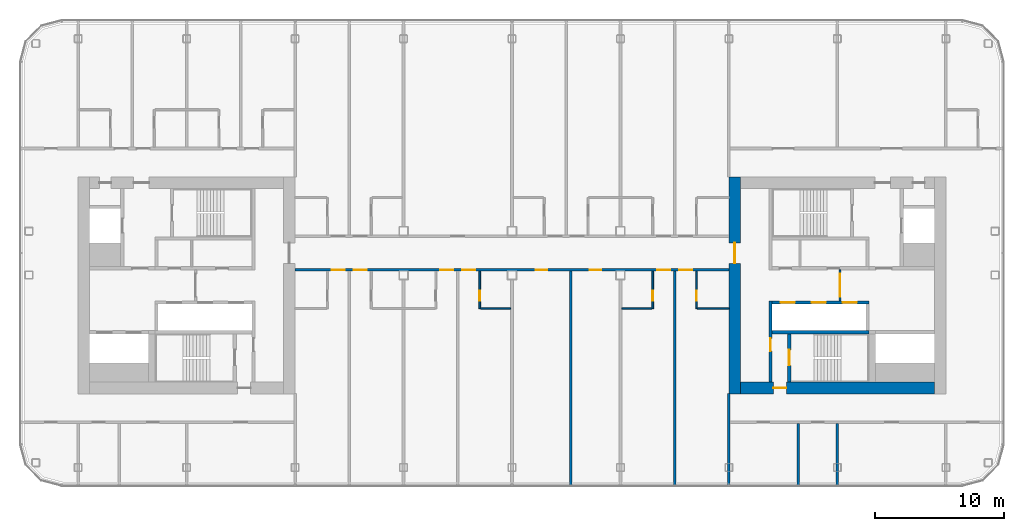
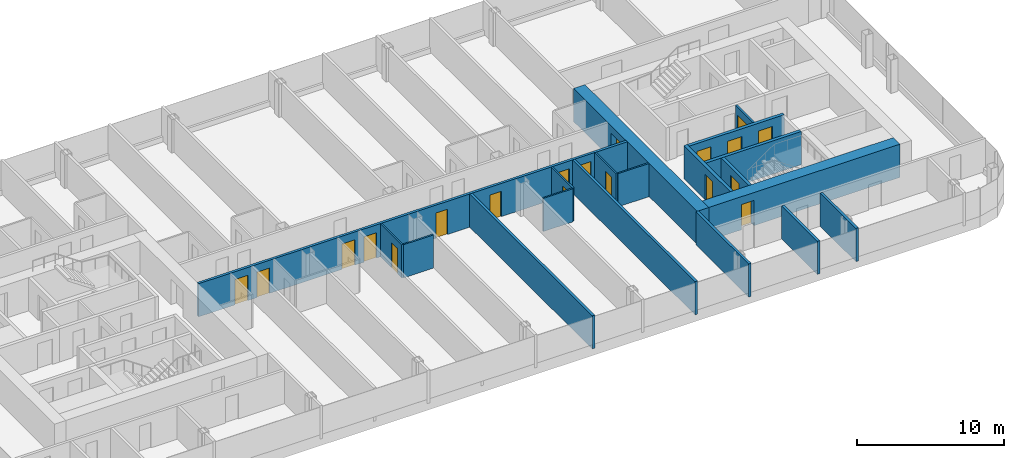
# One storey, part 15 of 26: 19 doors, 19 walls, 19 openings.
"""IFC4 building model written with IfcOpenShell, lengths in metres."""

from ifc_helpers import new_model, si_unit, direction, frame, frame_2d, origin, place, context, subcontext, project, spatial, rectangle, extrude, material, layer, layer_set, type_object, element, fill, save


model = new_model("IFC4")

# Units and contexts
model_context = context("Model", 3, precision=1e-05, world=origin(), true_north=direction((0.0, 1.0)))
body_context = subcontext(model_context, "Body", "Model", "MODEL_VIEW")
ifc_project = project(units=[si_unit("LENGTHUNIT", "METRE"), si_unit("AREAUNIT", "SQUARE_METRE"), si_unit("VOLUMEUNIT", "CUBIC_METRE"), si_unit("PLANEANGLEUNIT", "RADIAN"), si_unit("MASSUNIT", "GRAM", prefix="KILO")], contexts=[model_context])

# Site, building, storey
site_placement = place(None, origin())
site = spatial("IfcSite", under=ifc_project, at=site_placement, CompositionType="ELEMENT")
building_placement = place(site_placement, origin())
building = spatial("IfcBuilding", under=site, at=building_placement, Name="Hakoniwa Tower and Hamabe Station Hall", CompositionType="ELEMENT")
storey_placement = place(building_placement, frame((0.0, 0.0, 189.800048828125)))
storey = spatial("IfcBuildingStorey", under=building, at=storey_placement, Name="L53", CompositionType="ELEMENT", Elevation=189.800048828125)

# Walls
ifc_material_1 = material(Name="Gypsum board partition", Category="gypsum")
ifc_layer_1 = layer(ifc_material_1, 0.125)
ifc_layer_set_1 = layer_set([ifc_layer_1], Name="Bathroom Partition 125")
wall_type_1 = type_object("IfcWallType", Name="Bathroom Partition 125", PredefinedType="PARTITIONING", material=ifc_layer_set_1)
for number, where, z_axis, x_axis, name in (
    (1, (-2.4375, -1.800048828125, 0.0), (0.0, 0.0, 1.0), (1.0, 0.0, 0.0), "GW-L53-005"),
    (2, (8.5, -1.800048828125, 0.0), (0.0, 0.0, 1.0), (1.0, 0.0, 0.0), "GW-L53-006"),
):
    element("IfcWall", number, at=place(storey_placement, frame(where, z_axis=z_axis, x_axis=x_axis)), inside=storey, type_object=wall_type_1, Name=name, PredefinedType="PARTITIONING", context=body_context, shape_type="SweptSolid", body=[
        extrude(rectangle(XDim=2.33740234375, YDim=0.125, at=frame_2d((1.168701171875, 0.0))), origin(), (0.0, 0.0, 1.0), 2.75),
    ])
wall_1_placement = place(storey_placement, frame((14.362548828125, -1.800048828125, 0.0), z_axis=(0.0, 0.0, 1.0), x_axis=(1.0, 0.0, 0.0)))
element("IfcWall", 3, at=wall_1_placement, inside=storey, type_object=wall_type_1, Name="GW-L53-007", PredefinedType="PARTITIONING", context=body_context, shape_type="SweptSolid", body=[
    extrude(rectangle(XDim=2.447509765625, YDim=0.125, at=frame_2d((1.2236328125, 0.0))), origin(), (0.0, 0.0, 1.0), 2.75),
])

# Wall, opening, door
wall_2_placement = place(storey_placement, frame((-2.5, -1.800048828125, 0.0), z_axis=(0.0, 0.0, 1.0), x_axis=(0.0, 1.0, 0.0)))
wall_2 = element("IfcWall", 4, at=wall_2_placement, inside=storey, type_object=wall_type_1, Name="GW-L53-044", PredefinedType="PARTITIONING", context=body_context, shape_type="SweptSolid", body=[
    extrude(rectangle(XDim=2.900146484375, YDim=0.125, at=frame_2d((1.4501953125, 0.0))), origin(), (0.0, 0.0, 1.0), 2.75),
])
opening_1_placement = place(wall_2_placement, frame((0.60009765625, 0.0, 0.0)))
opening_1 = element("IfcOpeningElement", 5, at=opening_1_placement, cuts=wall_2, Name="Opening GD-G4B0-41", PredefinedType="OPENING", context=body_context, shape_type="SweptSolid", body=[
    extrude(rectangle(XDim=0.800048828125, YDim=2.10009765625, at=frame_2d((0.39990234375, 1.050048828125))), frame((0.0, 0.072509765625, 0.0), z_axis=(0.0, -1.0, 0.0), x_axis=(1.0, 0.0, 0.0)), (0.0, 0.0, 1.0), 0.14501953125),
])
ifc_material_2 = material(Name="Timber door leaf", Category="wood")
door_type_1 = type_object("IfcDoorType", Name="Bathroom Door 800", OperationType="SINGLE_SWING_LEFT", PredefinedType="DOOR", material=ifc_material_2)
door_1_placement = place(opening_1_placement, origin())
door_1 = element("IfcDoor", 6, at=door_1_placement, inside=storey, type_object=door_type_1, Name="Door GD-G4B0-41", OperationType="SINGLE_SWING_LEFT", OverallHeight=2.10009765625, OverallWidth=0.800048828125, PredefinedType="DOOR", context=body_context, shape_type="SweptSolid", body=[
    extrude(rectangle(XDim=0.800048828125, YDim=2.10009765625, at=frame_2d((0.39990234375, 1.050048828125))), frame((0.0, 0.02490234375, 0.0), z_axis=(0.0, -1.0, 0.0), x_axis=(1.0, 0.0, 0.0)), (0.0, 0.0, 1.0), 0.050048828125),
])
fill(opening_1, door_1)

wall_3_placement = place(storey_placement, frame((10.89990234375, -1.800048828125, 0.0), z_axis=(0.0, 0.0, 1.0), x_axis=(0.0, 1.0, 0.0)))
wall_3 = element("IfcWall", 7, at=wall_3_placement, inside=storey, type_object=wall_type_1, Name="GW-L53-053", PredefinedType="PARTITIONING", context=body_context, shape_type="SweptSolid", body=[
    extrude(rectangle(XDim=2.900146484375, YDim=0.125, at=frame_2d((1.4501953125, 0.0))), origin(), (0.0, 0.0, 1.0), 2.75),
])
opening_2_placement = place(wall_3_placement, frame((0.60009765625, 0.0, 0.0)))
opening_2 = element("IfcOpeningElement", 8, at=opening_2_placement, cuts=wall_3, Name="Opening GD-G4B0-44", PredefinedType="OPENING", context=body_context, shape_type="SweptSolid", body=[
    extrude(rectangle(XDim=0.800048828125, YDim=2.10009765625, at=frame_2d((0.39990234375, 1.050048828125))), frame((0.0, 0.072509765625, 0.0), z_axis=(0.0, -1.0, 0.0), x_axis=(1.0, 0.0, 0.0)), (0.0, 0.0, 1.0), 0.14501953125),
])
door_2_placement = place(opening_2_placement, origin())
door_2 = element("IfcDoor", 9, at=door_2_placement, inside=storey, type_object=door_type_1, Name="Door GD-G4B0-44", OperationType="SINGLE_SWING_RIGHT", OverallHeight=2.10009765625, OverallWidth=0.800048828125, PredefinedType="DOOR", context=body_context, shape_type="SweptSolid", body=[
    extrude(rectangle(XDim=0.800048828125, YDim=2.10009765625, at=frame_2d((0.39990234375, 1.050048828125))), frame((0.0, 0.02490234375, 0.0), z_axis=(0.0, -1.0, 0.0), x_axis=(1.0, 0.0, 0.0)), (0.0, 0.0, 1.0), 0.050048828125),
])
fill(opening_2, door_2)

wall_4_placement = place(storey_placement, frame((14.300048828125, -1.800048828125, 0.0), z_axis=(0.0, 0.0, 1.0), x_axis=(0.0, 1.0, 0.0)))
wall_4 = element("IfcWall", 10, at=wall_4_placement, inside=storey, type_object=wall_type_1, Name="GW-L53-057", PredefinedType="PARTITIONING", context=body_context, shape_type="SweptSolid", body=[
    extrude(rectangle(XDim=2.900146484375, YDim=0.125, at=frame_2d((1.4501953125, 0.0))), origin(), (0.0, 0.0, 1.0), 2.75),
])
opening_3_placement = place(wall_4_placement, frame((0.60009765625, 0.0, 0.0)))
opening_3 = element("IfcOpeningElement", 11, at=opening_3_placement, cuts=wall_4, Name="Opening GD-G4B0-46", PredefinedType="OPENING", context=body_context, shape_type="SweptSolid", body=[
    extrude(rectangle(XDim=0.800048828125, YDim=2.10009765625, at=frame_2d((0.39990234375, 1.050048828125))), frame((0.0, 0.072509765625, 0.0), z_axis=(0.0, -1.0, 0.0), x_axis=(1.0, 0.0, 0.0)), (0.0, 0.0, 1.0), 0.14501953125),
])
door_3_placement = place(opening_3_placement, origin())
door_3 = element("IfcDoor", 12, at=door_3_placement, inside=storey, type_object=door_type_1, Name="Door GD-G4B0-46", OperationType="SINGLE_SWING_LEFT", OverallHeight=2.10009765625, OverallWidth=0.800048828125, PredefinedType="DOOR", context=body_context, shape_type="SweptSolid", body=[
    extrude(rectangle(XDim=0.800048828125, YDim=2.10009765625, at=frame_2d((0.39990234375, 1.050048828125))), frame((0.0, 0.02490234375, 0.0), z_axis=(0.0, -1.0, 0.0), x_axis=(1.0, 0.0, 0.0)), (0.0, 0.0, 1.0), 0.050048828125),
])
fill(opening_3, door_3)

ifc_material_3 = material(Name="Gypsum board partition")
ifc_layer_2 = layer(ifc_material_3, 0.14990234375)
ifc_layer_set_2 = layer_set([ifc_layer_2], Name="CORE PARTITION 150 EI 60")
wall_type_2 = type_object("IfcWallType", Name="CORE PARTITION 150 EI 60", PredefinedType="PARTITIONING", material=ifc_layer_set_2)
wall_5_placement = place(storey_placement, frame((25.39990234375, -1.199951171875, 0.0), z_axis=(0.0, 0.0, 1.0), x_axis=(0.0, 1.0, 0.0)))
wall_5 = element("IfcWall", 13, at=wall_5_placement, inside=storey, type_object=wall_type_2, Name="Core partition PL0 east", PredefinedType="PARTITIONING", context=body_context, shape_type="SweptSolid", body=[
    extrude(rectangle(XDim=2.39990234375, YDim=0.14990234375, at=frame_2d((1.199951171875, 0.0))), origin(), (0.0, 0.0, 1.0), 2.75),
])
opening_4_placement = place(wall_5_placement, frame((0.300048828125, 0.0, 0.0)))
opening_4 = element("IfcOpeningElement", 14, at=opening_4_placement, cuts=wall_5, Name="Opening CD-E-LP0-18", PredefinedType="OPENING", context=body_context, shape_type="SweptSolid", body=[
    extrude(rectangle(XDim=1.800048828125, YDim=2.10009765625, at=frame_2d((0.89990234375, 1.050048828125))), frame((0.0, 0.0849609375, 0.0), z_axis=(0.0, -1.0, 0.0), x_axis=(1.0, 0.0, 0.0)), (0.0, 0.0, 1.0), 0.169921875),
])
ifc_material_4 = material(Name="Steel fire door", Category="steel")
door_type_2 = type_object("IfcDoorType", Name="CORE DOOR 1800 FD60", OperationType="DOUBLE_DOOR_SINGLE_SWING", PredefinedType="DOOR", material=ifc_material_4)
door_4_placement = place(opening_4_placement, origin())
door_4 = element("IfcDoor", 15, at=door_4_placement, inside=storey, type_object=door_type_2, Name="Lift lobby partition door", OperationType="DOUBLE_DOOR_SINGLE_SWING", OverallHeight=2.10009765625, OverallWidth=1.800048828125, PredefinedType="DOOR", context=body_context, shape_type="SweptSolid", body=[
    extrude(rectangle(XDim=1.800048828125, YDim=2.10009765625, at=frame_2d((0.89990234375, 1.050048828125))), frame((0.0, 0.02490234375, 0.0), z_axis=(0.0, -1.0, 0.0), x_axis=(1.0, 0.0, 0.0)), (0.0, 0.0, 1.0), 0.050048828125),
])
fill(opening_4, door_4)

ifc_material_5 = material(Name="Concrete C60", Category="concrete")
ifc_layer_3 = layer(ifc_material_5, 0.89990234375)
ifc_layer_set_3 = layer_set([ifc_layer_3], Name="CORE WALL 900 C60")
wall_type_3 = type_object("IfcWallType", Name="CORE WALL 900 C60", PredefinedType="SHEAR", material=ifc_layer_set_3)
wall_6_placement = place(storey_placement, frame((17.25, -8.39990234375, 0.0), z_axis=(0.0, 0.0, 1.0), x_axis=(0.0, 1.0, 0.0)))
wall_6 = element("IfcWall", 16, at=wall_6_placement, inside=storey, type_object=wall_type_3, Name="Core wall INNER east", PredefinedType="SHEAR", context=body_context, shape_type="SweptSolid", body=[
    extrude(rectangle(XDim=16.7998046875, YDim=0.89990234375, at=frame_2d((8.39990234375, 0.0))), origin(), (0.0, 0.0, 1.0), 2.75),
])
opening_5_placement = place(wall_6_placement, frame((10.10009765625, 0.0, 0.0)))
opening_5 = element("IfcOpeningElement", 17, at=opening_5_placement, cuts=wall_6, Name="Opening CD-E-IN1-16", PredefinedType="OPENING", context=body_context, shape_type="SweptSolid", body=[
    extrude(rectangle(XDim=1.60009765625, YDim=2.10009765625, at=frame_2d((0.800048828125, 1.050048828125))), frame((0.0, 0.4599609375, 0.0), z_axis=(0.0, -1.0, 0.0), x_axis=(1.0, 0.0, 0.0)), (0.0, 0.0, 1.0), 0.919921875),
])
ifc_material_6 = material(Name="Steel fire door", Category="steel")
door_type_3 = type_object("IfcDoorType", Name="CORE DOOR 1600 FD60", OperationType="DOUBLE_DOOR_SINGLE_SWING", PredefinedType="DOOR", material=ifc_material_6)
door_5_placement = place(opening_5_placement, origin())
door_5 = element("IfcDoor", 18, at=door_5_placement, inside=storey, type_object=door_type_3, Name="Lift lobby door", OperationType="DOUBLE_DOOR_SINGLE_SWING", OverallHeight=2.10009765625, OverallWidth=1.60009765625, PredefinedType="DOOR", context=body_context, shape_type="SweptSolid", body=[
    extrude(rectangle(XDim=1.60009765625, YDim=2.10009765625, at=frame_2d((0.800048828125, 1.050048828125))), frame((0.0, 0.02490234375, 0.0), z_axis=(0.0, -1.0, 0.0), x_axis=(1.0, 0.0, 0.0)), (0.0, 0.0, 1.0), 0.050048828125),
])
fill(opening_5, door_5)

wall_7_placement = place(storey_placement, frame((17.699951171875, -7.949951171875, 0.0), z_axis=(0.0, 0.0, 1.0), x_axis=(1.0, 0.0, 0.0)))
wall_7 = element("IfcWall", 19, at=wall_7_placement, inside=storey, type_object=wall_type_3, Name="Core wall SOUTH east", PredefinedType="SHEAR", context=body_context, shape_type="SweptSolid", body=[
    extrude(rectangle(XDim=15.0, YDim=0.89990234375, at=frame_2d((7.5, 0.0))), origin(), (0.0, 0.0, 1.0), 2.75),
])
opening_6_placement = place(wall_7_placement, frame((2.550048828125, 0.0, 0.0)))
opening_6 = element("IfcOpeningElement", 20, at=opening_6_placement, cuts=wall_7, Name="Opening CD-E-FS3-10", PredefinedType="OPENING", context=body_context, shape_type="SweptSolid", body=[
    extrude(rectangle(XDim=1.0, YDim=2.10009765625, at=frame_2d((0.5, 1.050048828125))), frame((0.0, 0.4599609375, 0.0), z_axis=(0.0, -1.0, 0.0), x_axis=(1.0, 0.0, 0.0)), (0.0, 0.0, 1.0), 0.919921875),
])
ifc_material_7 = material(Name="Steel fire door", Category="steel")
door_type_4 = type_object("IfcDoorType", Name="CORE DOOR 1000 FD60", OperationType="NOTDEFINED", PredefinedType="DOOR", material=ifc_material_7)
door_6_placement = place(opening_6_placement, origin())
door_6 = element("IfcDoor", 21, at=door_6_placement, inside=storey, type_object=door_type_4, Name="Stair vestibule door", OperationType="SINGLE_SWING_RIGHT", OverallHeight=2.10009765625, OverallWidth=1.0, PredefinedType="DOOR", context=body_context, shape_type="SweptSolid", body=[
    extrude(rectangle(XDim=1.0, YDim=2.10009765625, at=frame_2d((0.5, 1.050048828125))), frame((0.0, 0.02490234375, 0.0), z_axis=(0.0, -1.0, 0.0), x_axis=(1.0, 0.0, 0.0)), (0.0, 0.0, 1.0), 0.050048828125),
])
fill(opening_6, door_6)

ifc_material_8 = material(Name="Concrete C60", Category="concrete")
ifc_layer_4 = layer(ifc_material_8, 0.25)
ifc_layer_set_4 = layer_set([ifc_layer_4], Name="CORE WEB WALL 250 C60")
wall_type_4 = type_object("IfcWallType", Name="CORE WEB WALL 250 C60", PredefinedType="SHEAR", material=ifc_layer_set_4)
wall_8_placement = place(storey_placement, frame((20.02490234375, -7.5, 0.0), z_axis=(0.0, 0.0, 1.0), x_axis=(0.0, 1.0, 0.0)))
wall_8 = element("IfcWall", 22, at=wall_8_placement, inside=storey, type_object=wall_type_4, Name="Core wall W1S east", PredefinedType="SHEAR", context=body_context, shape_type="SweptSolid", body=[
    extrude(rectangle(XDim=6.300048828125, YDim=0.25, at=frame_2d((3.14990234375, 0.0))), origin(), (0.0, 0.0, 1.0), 2.75),
])
opening_7_placement = place(wall_8_placement, frame((2.39990234375, 0.0, 0.0)))
opening_7 = element("IfcOpeningElement", 23, at=opening_7_placement, cuts=wall_8, Name="Opening CD-E-VS-10", PredefinedType="OPENING", context=body_context, shape_type="SweptSolid", body=[
    extrude(rectangle(XDim=1.0, YDim=2.10009765625, at=frame_2d((0.5, 1.050048828125))), frame((0.0, 0.135009765625, 0.0), z_axis=(0.0, -1.0, 0.0), x_axis=(1.0, 0.0, 0.0)), (0.0, 0.0, 1.0), 0.27001953125),
])
door_7_placement = place(opening_7_placement, origin())
door_7 = element("IfcDoor", 24, at=door_7_placement, inside=storey, type_object=door_type_4, Name="Stair vestibule door", OperationType="SINGLE_SWING_RIGHT", OverallHeight=2.10009765625, OverallWidth=1.0, PredefinedType="DOOR", context=body_context, shape_type="SweptSolid", body=[
    extrude(rectangle(XDim=1.0, YDim=2.10009765625, at=frame_2d((0.5, 1.050048828125))), frame((0.0, 0.02490234375, 0.0), z_axis=(0.0, -1.0, 0.0), x_axis=(1.0, 0.0, 0.0)), (0.0, 0.0, 1.0), 0.050048828125),
])
fill(opening_7, door_7)

# Wall, openings, doors
wall_9_placement = place(storey_placement, frame((20.14990234375, -1.324951171875, 0.0), z_axis=(0.0, 0.0, 1.0), x_axis=(1.0, 0.0, 0.0)))
wall_9 = element("IfcWall", 25, at=wall_9_placement, inside=storey, type_object=wall_type_4, Name="Core wall SF east", PredefinedType="SHEAR", context=body_context, shape_type="SweptSolid", body=[
    extrude(rectangle(XDim=7.5, YDim=0.25, at=frame_2d((3.75, 0.0))), origin(), (0.0, 0.0, 1.0), 2.75),
])
opening_8_placement = place(wall_9_placement, frame((0.64990234375, 0.0, 0.0)))
opening_8 = element("IfcOpeningElement", 26, at=opening_8_placement, cuts=wall_9, Name="Opening LD-HR4", PredefinedType="OPENING", context=body_context, shape_type="SweptSolid", body=[
    extrude(rectangle(XDim=1.10009765625, YDim=2.10009765625, at=frame_2d((0.550048828125, 1.050048828125))), frame((0.0, 0.135009765625, 0.0), z_axis=(0.0, -1.0, 0.0), x_axis=(1.0, 0.0, 0.0)), (0.0, 0.0, 1.0), 0.27001953125),
])
opening_9_placement = place(wall_9_placement, frame((3.050048828125, 0.0, 0.0)))
opening_9 = element("IfcOpeningElement", 27, at=opening_9_placement, cuts=wall_9, Name="Opening LD-HR5", PredefinedType="OPENING", context=body_context, shape_type="SweptSolid", body=[
    extrude(rectangle(XDim=1.10009765625, YDim=2.10009765625, at=frame_2d((0.550048828125, 1.050048828125))), frame((0.0, 0.135009765625, 0.0), z_axis=(0.0, -1.0, 0.0), x_axis=(1.0, 0.0, 0.0)), (0.0, 0.0, 1.0), 0.27001953125),
])
opening_10_placement = place(wall_9_placement, frame((5.449951171875, 0.0, 0.0)))
opening_10 = element("IfcOpeningElement", 28, at=opening_10_placement, cuts=wall_9, Name="Opening LD-HR6", PredefinedType="OPENING", context=body_context, shape_type="SweptSolid", body=[
    extrude(rectangle(XDim=1.10009765625, YDim=2.10009765625, at=frame_2d((0.550048828125, 1.050048828125))), frame((0.0, 0.135009765625, 0.0), z_axis=(0.0, -1.0, 0.0), x_axis=(1.0, 0.0, 0.0)), (0.0, 0.0, 1.0), 0.27001953125),
])
ifc_material_9 = material(Name="Stainless steel SUS304", Category="steel")
door_type_5 = type_object("IfcDoorType", Name="LIFT LANDING DOOR 1100 FD60", OperationType="DOUBLE_DOOR_SLIDING", PredefinedType="DOOR", material=ifc_material_9)
door_8_placement = place(opening_8_placement, origin())
door_8 = element("IfcDoor", 29, at=door_8_placement, inside=storey, type_object=door_type_5, Name="Lift landing door HR4 L53", OperationType="DOUBLE_DOOR_SLIDING", OverallHeight=2.10009765625, OverallWidth=1.10009765625, PredefinedType="DOOR", context=body_context, shape_type="SweptSolid", body=[
    extrude(rectangle(XDim=1.10009765625, YDim=2.10009765625, at=frame_2d((0.550048828125, 1.050048828125))), frame((0.0, 0.02490234375, 0.0), z_axis=(0.0, -1.0, 0.0), x_axis=(1.0, 0.0, 0.0)), (0.0, 0.0, 1.0), 0.050048828125),
])
fill(opening_8, door_8)
door_9_placement = place(opening_9_placement, origin())
door_9 = element("IfcDoor", 30, at=door_9_placement, inside=storey, type_object=door_type_5, Name="Lift landing door HR5 L53", OperationType="DOUBLE_DOOR_SLIDING", OverallHeight=2.10009765625, OverallWidth=1.10009765625, PredefinedType="DOOR", context=body_context, shape_type="SweptSolid", body=[
    extrude(rectangle(XDim=1.10009765625, YDim=2.10009765625, at=frame_2d((0.550048828125, 1.050048828125))), frame((0.0, 0.02490234375, 0.0), z_axis=(0.0, -1.0, 0.0), x_axis=(1.0, 0.0, 0.0)), (0.0, 0.0, 1.0), 0.050048828125),
])
fill(opening_9, door_9)
door_10_placement = place(opening_10_placement, origin())
door_10 = element("IfcDoor", 31, at=door_10_placement, inside=storey, type_object=door_type_5, Name="Lift landing door HR6 L53", OperationType="DOUBLE_DOOR_SLIDING", OverallHeight=2.10009765625, OverallWidth=1.10009765625, PredefinedType="DOOR", context=body_context, shape_type="SweptSolid", body=[
    extrude(rectangle(XDim=1.10009765625, YDim=2.10009765625, at=frame_2d((0.550048828125, 1.050048828125))), frame((0.0, 0.02490234375, 0.0), z_axis=(0.0, -1.0, 0.0), x_axis=(1.0, 0.0, 0.0)), (0.0, 0.0, 1.0), 0.050048828125),
])
fill(opening_10, door_10)

# Wall
wall_10_placement = place(storey_placement, frame((20.14990234375, -3.625, 0.0), z_axis=(0.0, 0.0, 1.0), x_axis=(1.0, 0.0, 0.0)))
element("IfcWall", 32, at=wall_10_placement, inside=storey, type_object=wall_type_4, Name="Core wall SR east", PredefinedType="SHEAR", context=body_context, shape_type="SweptSolid", body=[
    extrude(rectangle(XDim=7.5, YDim=0.25, at=frame_2d((3.75, 0.0))), origin(), (0.0, 0.0, 1.0), 2.75),
])

# Wall, opening, door
wall_11_placement = place(storey_placement, frame((21.47509765625, -7.5, 0.0), z_axis=(0.0, 0.0, 1.0), x_axis=(0.0, 1.0, 0.0)))
wall_11 = element("IfcWall", 33, at=wall_11_placement, inside=storey, type_object=wall_type_4, Name="Core wall VE east", PredefinedType="SHEAR", context=body_context, shape_type="SweptSolid", body=[
    extrude(rectangle(XDim=3.75, YDim=0.25, at=frame_2d((1.875, 0.0))), origin(), (0.0, 0.0, 1.0), 2.75),
])
opening_11_placement = place(wall_11_placement, frame((1.300048828125, 0.0, 0.0)))
opening_11 = element("IfcOpeningElement", 34, at=opening_11_placement, cuts=wall_11, Name="Opening CD-E-SS-12", PredefinedType="OPENING", context=body_context, shape_type="SweptSolid", body=[
    extrude(rectangle(XDim=1.199951171875, YDim=2.10009765625, at=frame_2d((0.60009765625, 1.050048828125))), frame((0.0, 0.135009765625, 0.0), z_axis=(0.0, -1.0, 0.0), x_axis=(1.0, 0.0, 0.0)), (0.0, 0.0, 1.0), 0.27001953125),
])
ifc_material_10 = material(Name="Steel fire door", Category="steel")
door_type_6 = type_object("IfcDoorType", Name="CORE DOOR 1200 FD60", OperationType="DOUBLE_DOOR_SINGLE_SWING", PredefinedType="DOOR", material=ifc_material_10)
door_11_placement = place(opening_11_placement, origin())
door_11 = element("IfcDoor", 35, at=door_11_placement, inside=storey, type_object=door_type_6, Name="Escape stair door", OperationType="DOUBLE_DOOR_SINGLE_SWING", OverallHeight=2.10009765625, OverallWidth=1.199951171875, PredefinedType="DOOR", context=body_context, shape_type="SweptSolid", body=[
    extrude(rectangle(XDim=1.199951171875, YDim=2.10009765625, at=frame_2d((0.60009765625, 1.050048828125))), frame((0.0, 0.02490234375, 0.0), z_axis=(0.0, -1.0, 0.0), x_axis=(1.0, 0.0, 0.0)), (0.0, 0.0, 1.0), 0.050048828125),
])
fill(opening_11, door_11)

# Wall, openings, doors
ifc_material_11 = material(Name="Fire-rated gypsum board partition", Category="gypsum")
ifc_layer_5 = layer(ifc_material_11, 0.199951171875)
ifc_layer_set_5 = layer_set([ifc_layer_5], Name="Corridor Wall 200")
wall_type_5 = type_object("IfcWallType", Name="Corridor Wall 200", PredefinedType="PARTITIONING", material=ifc_layer_set_5)
wall_12_placement = place(storey_placement, frame((-16.800048828125, 1.199951171875, 0.0), z_axis=(0.0, 0.0, 1.0), x_axis=(1.0, 0.0, 0.0)))
wall_12 = element("IfcWall", 36, at=wall_12_placement, inside=storey, type_object=wall_type_5, Name="GW-L53-008", PredefinedType="PARTITIONING", context=body_context, shape_type="SweptSolid", body=[
    extrude(rectangle(XDim=33.60009765625, YDim=0.199951171875, at=frame_2d((16.800048828125, 0.0))), origin(), (0.0, 0.0, 1.0), 2.75),
])
opening_12_placement = place(wall_12_placement, frame((2.85009765625, 0.0, 0.0)))
opening_12 = element("IfcOpeningElement", 37, at=opening_12_placement, cuts=wall_12, Name="Opening GD-G4B0-09", PredefinedType="OPENING", context=body_context, shape_type="SweptSolid", body=[
    extrude(rectangle(XDim=1.0, YDim=2.10009765625, at=frame_2d((0.5, 1.050048828125))), frame((0.0, 0.10986328125, 0.0), z_axis=(0.0, -1.0, 0.0), x_axis=(1.0, 0.0, 0.0)), (0.0, 0.0, 1.0), 0.219970703125),
])
opening_13_placement = place(wall_12_placement, frame((4.550048828125, 0.0, 0.0)))
opening_13 = element("IfcOpeningElement", 38, at=opening_13_placement, cuts=wall_12, Name="Opening GD-G4B0-10", PredefinedType="OPENING", context=body_context, shape_type="SweptSolid", body=[
    extrude(rectangle(XDim=1.0, YDim=2.10009765625, at=frame_2d((0.5, 1.050048828125))), frame((0.0, 0.10986328125, 0.0), z_axis=(0.0, -1.0, 0.0), x_axis=(1.0, 0.0, 0.0)), (0.0, 0.0, 1.0), 0.219970703125),
])
opening_14_placement = place(wall_12_placement, frame((11.25, 0.0, 0.0)))
opening_14 = element("IfcOpeningElement", 39, at=opening_14_placement, cuts=wall_12, Name="Opening GD-G4B0-11", PredefinedType="OPENING", context=body_context, shape_type="SweptSolid", body=[
    extrude(rectangle(XDim=1.0, YDim=2.10009765625, at=frame_2d((0.5, 1.050048828125))), frame((0.0, 0.10986328125, 0.0), z_axis=(0.0, -1.0, 0.0), x_axis=(1.0, 0.0, 0.0)), (0.0, 0.0, 1.0), 0.219970703125),
])
opening_15_placement = place(wall_12_placement, frame((12.949951171875, 0.0, 0.0)))
opening_15 = element("IfcOpeningElement", 40, at=opening_15_placement, cuts=wall_12, Name="Opening GD-G4B0-12", PredefinedType="OPENING", context=body_context, shape_type="SweptSolid", body=[
    extrude(rectangle(XDim=1.0, YDim=2.10009765625, at=frame_2d((0.5, 1.050048828125))), frame((0.0, 0.10986328125, 0.0), z_axis=(0.0, -1.0, 0.0), x_axis=(1.0, 0.0, 0.0)), (0.0, 0.0, 1.0), 0.219970703125),
])
opening_16_placement = place(wall_12_placement, frame((18.6201171875, 0.0, 0.0)))
opening_16 = element("IfcOpeningElement", 41, at=opening_16_placement, cuts=wall_12, Name="Opening GD-G4B0-13", PredefinedType="OPENING", context=body_context, shape_type="SweptSolid", body=[
    extrude(rectangle(XDim=0.89990234375, YDim=2.10009765625, at=frame_2d((0.449951171875, 1.050048828125))), frame((0.0, 0.10986328125, 0.0), z_axis=(0.0, -1.0, 0.0), x_axis=(1.0, 0.0, 0.0)), (0.0, 0.0, 1.0), 0.219970703125),
])
opening_17_placement = place(wall_12_placement, frame((22.820068359375, 0.0, 0.0)))
opening_17 = element("IfcOpeningElement", 42, at=opening_17_placement, cuts=wall_12, Name="Opening GD-G4B0-14", PredefinedType="OPENING", context=body_context, shape_type="SweptSolid", body=[
    extrude(rectangle(XDim=0.89990234375, YDim=2.10009765625, at=frame_2d((0.449951171875, 1.050048828125))), frame((0.0, 0.10986328125, 0.0), z_axis=(0.0, -1.0, 0.0), x_axis=(1.0, 0.0, 0.0)), (0.0, 0.0, 1.0), 0.219970703125),
])
opening_18_placement = place(wall_12_placement, frame((28.050048828125, 0.0, 0.0)))
opening_18 = element("IfcOpeningElement", 43, at=opening_18_placement, cuts=wall_12, Name="Opening GD-G4B0-15", PredefinedType="OPENING", context=body_context, shape_type="SweptSolid", body=[
    extrude(rectangle(XDim=1.0, YDim=2.10009765625, at=frame_2d((0.5, 1.050048828125))), frame((0.0, 0.10986328125, 0.0), z_axis=(0.0, -1.0, 0.0), x_axis=(1.0, 0.0, 0.0)), (0.0, 0.0, 1.0), 0.219970703125),
])
opening_19_placement = place(wall_12_placement, frame((29.75, 0.0, 0.0)))
opening_19 = element("IfcOpeningElement", 44, at=opening_19_placement, cuts=wall_12, Name="Opening GD-G4B0-16", PredefinedType="OPENING", context=body_context, shape_type="SweptSolid", body=[
    extrude(rectangle(XDim=1.0, YDim=2.10009765625, at=frame_2d((0.5, 1.050048828125))), frame((0.0, 0.10986328125, 0.0), z_axis=(0.0, -1.0, 0.0), x_axis=(1.0, 0.0, 0.0)), (0.0, 0.0, 1.0), 0.219970703125),
])
ifc_material_12 = material(Name="Timber door leaf", Category="wood")
door_type_7 = type_object("IfcDoorType", Name="Guest Entrance Door 1000", OperationType="SINGLE_SWING_LEFT", PredefinedType="DOOR", material=ifc_material_12)
door_12_placement = place(opening_12_placement, origin())
door_12 = element("IfcDoor", 45, at=door_12_placement, inside=storey, type_object=door_type_7, Name="Door GD-G4B0-09", OperationType="SINGLE_SWING_LEFT", OverallHeight=2.10009765625, OverallWidth=1.0, PredefinedType="DOOR", context=body_context, shape_type="SweptSolid", body=[
    extrude(rectangle(XDim=1.0, YDim=2.10009765625, at=frame_2d((0.5, 1.050048828125))), frame((0.0, 0.02490234375, 0.0), z_axis=(0.0, -1.0, 0.0), x_axis=(1.0, 0.0, 0.0)), (0.0, 0.0, 1.0), 0.050048828125),
])
fill(opening_12, door_12)
door_13_placement = place(opening_13_placement, origin())
door_13 = element("IfcDoor", 46, at=door_13_placement, inside=storey, type_object=door_type_7, Name="Door GD-G4B0-10", OperationType="SINGLE_SWING_LEFT", OverallHeight=2.10009765625, OverallWidth=1.0, PredefinedType="DOOR", context=body_context, shape_type="SweptSolid", body=[
    extrude(rectangle(XDim=1.0, YDim=2.10009765625, at=frame_2d((0.5, 1.050048828125))), frame((0.0, 0.02490234375, 0.0), z_axis=(0.0, -1.0, 0.0), x_axis=(1.0, 0.0, 0.0)), (0.0, 0.0, 1.0), 0.050048828125),
])
fill(opening_13, door_13)
door_14_placement = place(opening_14_placement, origin())
door_14 = element("IfcDoor", 47, at=door_14_placement, inside=storey, type_object=door_type_7, Name="Door GD-G4B0-11", OperationType="SINGLE_SWING_RIGHT", OverallHeight=2.10009765625, OverallWidth=1.0, PredefinedType="DOOR", context=body_context, shape_type="SweptSolid", body=[
    extrude(rectangle(XDim=1.0, YDim=2.10009765625, at=frame_2d((0.5, 1.050048828125))), frame((0.0, 0.02490234375, 0.0), z_axis=(0.0, -1.0, 0.0), x_axis=(1.0, 0.0, 0.0)), (0.0, 0.0, 1.0), 0.050048828125),
])
fill(opening_14, door_14)
door_15_placement = place(opening_15_placement, origin())
door_15 = element("IfcDoor", 48, at=door_15_placement, inside=storey, type_object=door_type_7, Name="Door GD-G4B0-12", OperationType="SINGLE_SWING_LEFT", OverallHeight=2.10009765625, OverallWidth=1.0, PredefinedType="DOOR", context=body_context, shape_type="SweptSolid", body=[
    extrude(rectangle(XDim=1.0, YDim=2.10009765625, at=frame_2d((0.5, 1.050048828125))), frame((0.0, 0.02490234375, 0.0), z_axis=(0.0, -1.0, 0.0), x_axis=(1.0, 0.0, 0.0)), (0.0, 0.0, 1.0), 0.050048828125),
])
fill(opening_15, door_15)
door_16_placement = place(opening_18_placement, origin())
door_16 = element("IfcDoor", 49, at=door_16_placement, inside=storey, type_object=door_type_7, Name="Door GD-G4B0-15", OperationType="SINGLE_SWING_RIGHT", OverallHeight=2.10009765625, OverallWidth=1.0, PredefinedType="DOOR", context=body_context, shape_type="SweptSolid", body=[
    extrude(rectangle(XDim=1.0, YDim=2.10009765625, at=frame_2d((0.5, 1.050048828125))), frame((0.0, 0.02490234375, 0.0), z_axis=(0.0, -1.0, 0.0), x_axis=(1.0, 0.0, 0.0)), (0.0, 0.0, 1.0), 0.050048828125),
])
fill(opening_18, door_16)
door_17_placement = place(opening_19_placement, origin())
door_17 = element("IfcDoor", 50, at=door_17_placement, inside=storey, type_object=door_type_7, Name="Door GD-G4B0-16", OperationType="SINGLE_SWING_LEFT", OverallHeight=2.10009765625, OverallWidth=1.0, PredefinedType="DOOR", context=body_context, shape_type="SweptSolid", body=[
    extrude(rectangle(XDim=1.0, YDim=2.10009765625, at=frame_2d((0.5, 1.050048828125))), frame((0.0, 0.02490234375, 0.0), z_axis=(0.0, -1.0, 0.0), x_axis=(1.0, 0.0, 0.0)), (0.0, 0.0, 1.0), 0.050048828125),
])
fill(opening_19, door_17)
ifc_material_13 = material(Name="Timber door leaf", Category="wood")
door_type_8 = type_object("IfcDoorType", Name="Service Door 900", OperationType="SINGLE_SWING_LEFT", PredefinedType="DOOR", material=ifc_material_13)
door_18_placement = place(opening_16_placement, origin())
door_18 = element("IfcDoor", 51, at=door_18_placement, inside=storey, type_object=door_type_8, Name="Door GD-G4B0-13", OperationType="SINGLE_SWING_RIGHT", OverallHeight=2.10009765625, OverallWidth=0.89990234375, PredefinedType="DOOR", context=body_context, shape_type="SweptSolid", body=[
    extrude(rectangle(XDim=0.89990234375, YDim=2.10009765625, at=frame_2d((0.449951171875, 1.050048828125))), frame((0.0, 0.02490234375, 0.0), z_axis=(0.0, -1.0, 0.0), x_axis=(1.0, 0.0, 0.0)), (0.0, 0.0, 1.0), 0.050048828125),
])
fill(opening_16, door_18)
door_19_placement = place(opening_17_placement, origin())
door_19 = element("IfcDoor", 52, at=door_19_placement, inside=storey, type_object=door_type_8, Name="Door GD-G4B0-14", OperationType="SINGLE_SWING_LEFT", OverallHeight=2.10009765625, OverallWidth=0.89990234375, PredefinedType="DOOR", context=body_context, shape_type="SweptSolid", body=[
    extrude(rectangle(XDim=0.89990234375, YDim=2.10009765625, at=frame_2d((0.449951171875, 1.050048828125))), frame((0.0, 0.02490234375, 0.0), z_axis=(0.0, -1.0, 0.0), x_axis=(1.0, 0.0, 0.0)), (0.0, 0.0, 1.0), 0.050048828125),
])
fill(opening_17, door_19)

# Walls
ifc_material_14 = material(Name="Fire-rated gypsum board partition", Category="gypsum")
ifc_layer_6 = layer(ifc_material_14, 0.199951171875)
ifc_layer_set_6 = layer_set([ifc_layer_6], Name="Party Wall 200")
wall_type_6 = type_object("IfcWallType", Name="Party Wall 200", PredefinedType="PARTITIONING", material=ifc_layer_set_6)
for number, where, z_axis, x_axis, name in (
    (53, (4.5400390625, -15.550048828125, 0.0), (0.0, 0.0, 1.0), (0.0, 1.0, 0.0), "GW-L53-049"),
    (54, (12.60009765625, -15.550048828125, 0.0), (0.0, 0.0, 1.0), (0.0, 1.0, 0.0), "GW-L53-055"),
):
    element("IfcWall", number, at=place(storey_placement, frame(where, z_axis=z_axis, x_axis=x_axis)), inside=storey, type_object=wall_type_6, Name=name, PredefinedType="PARTITIONING", context=body_context, shape_type="SweptSolid", body=[
        extrude(rectangle(XDim=16.650146484375, YDim=0.199951171875, at=frame_2d((8.3251953125, 0.0))), origin(), (0.0, 0.0, 1.0), 2.75),
    ])
wall_13_placement = place(storey_placement, frame((16.800048828125, -15.550048828125, 0.0), z_axis=(0.0, 0.0, 1.0), x_axis=(0.0, 1.0, 0.0)))
element("IfcWall", 55, at=wall_13_placement, inside=storey, type_object=wall_type_6, Name="GW-L53-059", PredefinedType="PARTITIONING", context=body_context, shape_type="SweptSolid", body=[
    extrude(rectangle(XDim=7.16015625, YDim=0.199951171875, at=frame_2d((3.580078125, 0.0))), origin(), (0.0, 0.0, 1.0), 2.75),
])
for number, where, z_axis, x_axis, name in (
    (56, (22.179931640625, -15.550048828125, 0.0), (0.0, 0.0, 1.0), (0.0, 1.0, 0.0), "GW-L53-061"),
    (57, (25.199951171875, -15.550048828125, 0.0), (0.0, 0.0, 1.0), (0.0, 1.0, 0.0), "GW-L53-062"),
):
    element("IfcWall", number, at=place(storey_placement, frame(where, z_axis=z_axis, x_axis=x_axis)), inside=storey, type_object=wall_type_6, Name=name, PredefinedType="PARTITIONING", context=body_context, shape_type="SweptSolid", body=[
        extrude(rectangle(XDim=4.85009765625, YDim=0.199951171875, at=frame_2d((2.425048828125, 0.0))), origin(), (0.0, 0.0, 1.0), 2.75),
    ])

save(model, "model.ifc")
